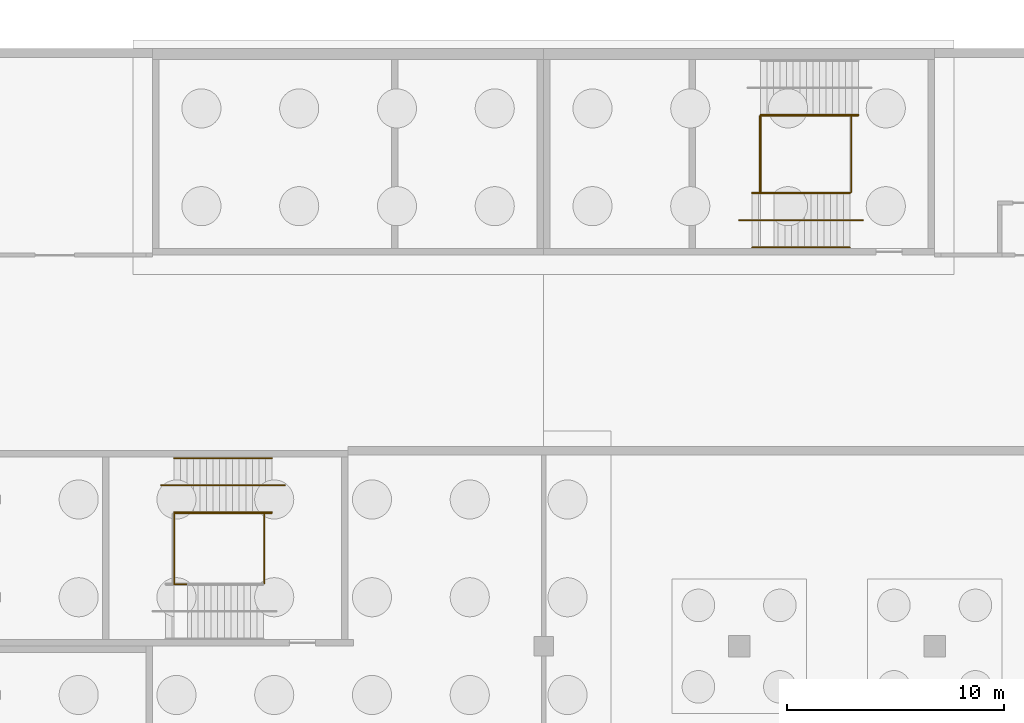
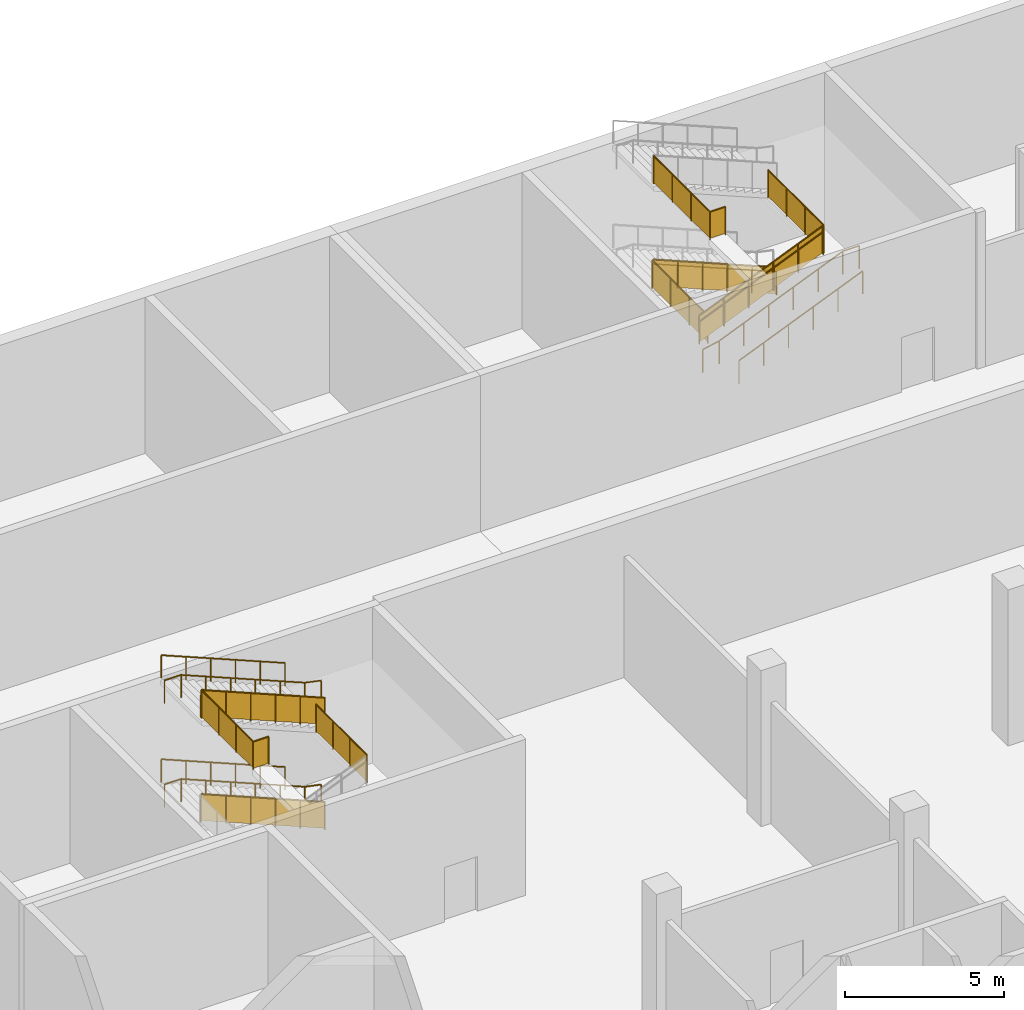
# One storey, part 33 of 42: 19 railings.
"""IFC4 building model written with IfcOpenShell, lengths in metres."""

from ifc_helpers import new_model, si_unit, direction, frame, origin, origin_2d, place, context, subcontext, project, spatial, polyline, circle, outline, extrude, material, type_object, element, save


model = new_model("IFC4")

# Units and contexts
model_context = context("Model", 3, precision=1e-05, world=origin(), true_north=direction((0.0, 1.0)))
body_context = subcontext(model_context, "Body", "Model", "MODEL_VIEW")
ifc_project = project(units=[si_unit("LENGTHUNIT", "METRE"), si_unit("AREAUNIT", "SQUARE_METRE"), si_unit("VOLUMEUNIT", "CUBIC_METRE"), si_unit("PLANEANGLEUNIT", "RADIAN"), si_unit("MASSUNIT", "GRAM", prefix="KILO")], contexts=[model_context])

# Site, building, storey
site_placement = place(None, origin())
site = spatial("IfcSite", under=ifc_project, at=site_placement, CompositionType="ELEMENT")
building_placement = place(site_placement, origin())
building = spatial("IfcBuilding", under=site, at=building_placement, Name="Silverbay Arena", CompositionType="ELEMENT")
storey_placement = place(building_placement, frame((0.0, 0.0, -6.0)))
storey = spatial("IfcBuildingStorey", under=building, at=storey_placement, Name="B1", CompositionType="ELEMENT", Elevation=-6.0)

# Railings
ifc_material_1 = material(Name="Stainless steel", Category="steel")
railing_type_1 = type_object("IfcRailingType", Name="Stair guard 1100", PredefinedType="GUARDRAIL", material=ifc_material_1)
railing_1_placement = place(storey_placement, frame((113.489990234375, 141.425048828125, 0.125)))
element("IfcRailing", 1, at=railing_1_placement, inside=storey, type_object=railing_type_1, Name="Stair ST-N2 B1 to L00 flight 1 guard left", PredefinedType="GUARDRAIL", context=body_context, shape_type="SweptSolid", body=[
    extrude(circle(Radius=0.02392578125, at=origin_2d()), frame((0.0, 0.0, 1.076171875), z_axis=(-0.923076923077, 0.0, 0.384615384615), x_axis=(0.0, -1.0, 0.0)), (0.0, 0.0, 1.0), 4.875),
    extrude(outline(polyline([(-0.008056640625, 0.046630859375), (0.907958984375, 0.42822265625), (0.907958984375, 1.431396484375), (-0.008056640625, 1.049560546875), (-0.008056640625, 0.046630859375)])), frame((0.0, -0.0029296875, 0.0), z_axis=(0.0, 1.0, 0.0), x_axis=(-1.0, 0.0, 0.0)), (0.0, 0.0, 1.0), 0.006103515625),
    extrude(outline(polyline([(-0.008056640625, 0.421630859375), (0.907958984375, 0.80322265625), (0.907958984375, 1.806396484375), (-0.008056640625, 1.424560546875), (-0.008056640625, 0.421630859375)])), frame((-0.89990234375, -0.0029296875, 0.0), z_axis=(0.0, 1.0, 0.0), x_axis=(-1.0, 0.0, 0.0)), (0.0, 0.0, 1.0), 0.006103515625),
    extrude(outline(polyline([(-0.008056640625, 0.796630859375), (0.907958984375, 1.17822265625), (0.907958984375, 2.181396484375), (-0.008056640625, 1.799560546875), (-0.008056640625, 0.796630859375)])), frame((-1.800048828125, -0.0029296875, 0.0), z_axis=(0.0, 1.0, 0.0), x_axis=(-1.0, 0.0, 0.0)), (0.0, 0.0, 1.0), 0.006103515625),
    extrude(outline(polyline([(-0.008056640625, 1.171630859375), (0.907958984375, 1.55322265625), (0.907958984375, 2.556396484375), (-0.008056640625, 2.174560546875), (-0.008056640625, 1.171630859375)])), frame((-2.699951171875, -0.0029296875, 0.0), z_axis=(0.0, 1.0, 0.0), x_axis=(-1.0, 0.0, 0.0)), (0.0, 0.0, 1.0), 0.006103515625),
    extrude(outline(polyline([(-0.008056640625, 1.546630859375), (0.907958984375, 1.92822265625), (0.907958984375, 2.931396484375), (-0.008056640625, 2.549560546875), (-0.008056640625, 1.546630859375)])), frame((-3.60009765625, -0.0029296875, 0.0), z_axis=(0.0, 1.0, 0.0), x_axis=(-1.0, 0.0, 0.0)), (0.0, 0.0, 1.0), 0.006103515625),
    extrude(circle(Radius=0.02099609375, at=origin_2d()), origin(), (0.0, 0.0, 1.0), 1.052001953125),
    extrude(circle(Radius=0.02099609375, at=origin_2d()), frame((-0.89990234375, 0.0, 0.375)), (0.0, 0.0, 1.0), 1.052001953125),
    extrude(circle(Radius=0.02099609375, at=origin_2d()), frame((-1.800048828125, 0.0, 0.75)), (0.0, 0.0, 1.0), 1.052001953125),
    extrude(circle(Radius=0.02099609375, at=origin_2d()), frame((-2.699951171875, 0.0, 1.125)), (0.0, 0.0, 1.0), 1.052001953125),
    extrude(circle(Radius=0.02099609375, at=origin_2d()), frame((-3.60009765625, 0.0, 1.5)), (0.0, 0.0, 1.0), 1.052001953125),
    extrude(circle(Radius=0.02099609375, at=origin_2d()), frame((-4.5, 0.0, 1.875)), (0.0, 0.0, 1.0), 1.052001953125),
])
railing_2_placement = place(storey_placement, frame((108.60009765625, 137.875, 2.125)))
element("IfcRailing", 2, at=railing_2_placement, inside=storey, type_object=railing_type_1, Name="Stair ST-N2 B1 to L00 flight 2 guard right", PredefinedType="GUARDRAIL", context=body_context, shape_type="SweptSolid", body=[
    extrude(circle(Radius=0.02392578125, at=origin_2d()), frame((0.0, 0.0, 1.076171875), z_axis=(0.923076923077, 0.0, 0.384615384615), x_axis=(0.0, 1.0, 0.0)), (0.0, 0.0, 1.0), 4.875),
    extrude(outline(polyline([(-0.008056640625, 0.046630859375), (0.907958984375, 0.42822265625), (0.907958984375, 1.431396484375), (-0.008056640625, 1.049560546875), (-0.008056640625, 0.046630859375)])), frame((0.0, 0.0029296875, 0.0), z_axis=(0.0, -1.0, 0.0), x_axis=(1.0, 0.0, 0.0)), (0.0, 0.0, 1.0), 0.006103515625),
    extrude(outline(polyline([(-0.008056640625, 0.421630859375), (0.907958984375, 0.80322265625), (0.907958984375, 1.806396484375), (-0.008056640625, 1.424560546875), (-0.008056640625, 0.421630859375)])), frame((0.89990234375, 0.0029296875, 0.0), z_axis=(0.0, -1.0, 0.0), x_axis=(1.0, 0.0, 0.0)), (0.0, 0.0, 1.0), 0.006103515625),
    extrude(outline(polyline([(-0.008056640625, 0.796630859375), (0.907958984375, 1.17822265625), (0.907958984375, 2.181396484375), (-0.008056640625, 1.799560546875), (-0.008056640625, 0.796630859375)])), frame((1.800048828125, 0.0029296875, 0.0), z_axis=(0.0, -1.0, 0.0), x_axis=(1.0, 0.0, 0.0)), (0.0, 0.0, 1.0), 0.006103515625),
    extrude(outline(polyline([(-0.008056640625, 1.171630859375), (0.907958984375, 1.55322265625), (0.907958984375, 2.556396484375), (-0.008056640625, 2.174560546875), (-0.008056640625, 1.171630859375)])), frame((2.699951171875, 0.0029296875, 0.0), z_axis=(0.0, -1.0, 0.0), x_axis=(1.0, 0.0, 0.0)), (0.0, 0.0, 1.0), 0.006103515625),
    extrude(outline(polyline([(-0.008056640625, 1.546630859375), (0.907958984375, 1.92822265625), (0.907958984375, 2.931396484375), (-0.008056640625, 2.549560546875), (-0.008056640625, 1.546630859375)])), frame((3.60009765625, 0.0029296875, 0.0), z_axis=(0.0, -1.0, 0.0), x_axis=(1.0, 0.0, 0.0)), (0.0, 0.0, 1.0), 0.006103515625),
    extrude(circle(Radius=0.02099609375, at=origin_2d()), origin(), (0.0, 0.0, 1.0), 1.052001953125),
    extrude(circle(Radius=0.02099609375, at=origin_2d()), frame((0.89990234375, 0.0, 0.375)), (0.0, 0.0, 1.0), 1.052001953125),
    extrude(circle(Radius=0.02099609375, at=origin_2d()), frame((1.800048828125, 0.0, 0.75)), (0.0, 0.0, 1.0), 1.052001953125),
    extrude(circle(Radius=0.02099609375, at=origin_2d()), frame((2.699951171875, 0.0, 1.125)), (0.0, 0.0, 1.0), 1.052001953125),
    extrude(circle(Radius=0.02099609375, at=origin_2d()), frame((3.60009765625, 0.0, 1.5)), (0.0, 0.0, 1.0), 1.052001953125),
    extrude(circle(Radius=0.02099609375, at=origin_2d()), frame((4.5, 0.0, 1.875)), (0.0, 0.0, 1.0), 1.052001953125),
])
for number, where, name in (
    (3, (108.93994140625, 137.89990234375, 2.0), "Stair ST-N2 B1 to L00 landing 1 guard"),
    (4, (113.14990234375, 137.89990234375, 4.0), "Stair ST-N2 B1 to L00 landing 2 guard"),
):
    element("IfcRailing", number, at=place(storey_placement, frame(where)), inside=storey, type_object=railing_type_1, Name=name, PredefinedType="GUARDRAIL", context=body_context, shape_type="SweptSolid", body=[
        extrude(circle(Radius=0.02392578125, at=origin_2d()), frame((0.0, 0.0, 1.076171875), z_axis=(0.0, 1.0, 0.0), x_axis=(-1.0, 0.0, 0.0)), (0.0, 0.0, 1.0), 3.5),
        extrude(outline(polyline([(-0.008056640625, 0.050048828125), (1.174560546875, 0.050048828125), (1.174560546875, 1.052978515625), (-0.008056640625, 1.052978515625), (-0.008056640625, 0.050048828125)])), frame((-0.0029296875, 0.0, 0.0), z_axis=(1.0, 0.0, 0.0), x_axis=(0.0, 1.0, 0.0)), (0.0, 0.0, 1.0), 0.006103515625),
        extrude(outline(polyline([(-0.008056640625, 0.050048828125), (1.174560546875, 0.050048828125), (1.174560546875, 1.052978515625), (-0.008056640625, 1.052978515625), (-0.008056640625, 0.050048828125)])), frame((-0.0029296875, 1.166748046875, 0.0), z_axis=(1.0, 0.0, 0.0), x_axis=(0.0, 1.0, 0.0)), (0.0, 0.0, 1.0), 0.006103515625),
        extrude(outline(polyline([(-0.008056640625, 0.050048828125), (1.174560546875, 0.050048828125), (1.174560546875, 1.052978515625), (-0.008056640625, 1.052978515625), (-0.008056640625, 0.050048828125)])), frame((-0.0029296875, 2.333251953125, 0.0), z_axis=(1.0, 0.0, 0.0), x_axis=(0.0, 1.0, 0.0)), (0.0, 0.0, 1.0), 0.006103515625),
        extrude(circle(Radius=0.02099609375, at=origin_2d()), origin(), (0.0, 0.0, 1.0), 1.052001953125),
        extrude(circle(Radius=0.02099609375, at=origin_2d()), frame((0.0, 1.166748046875, 0.0)), (0.0, 0.0, 1.0), 1.052001953125),
        extrude(circle(Radius=0.02099609375, at=origin_2d()), frame((0.0, 2.333251953125, 0.0)), (0.0, 0.0, 1.0), 1.052001953125),
        extrude(circle(Radius=0.02099609375, at=origin_2d()), frame((0.0, 3.5, 0.0)), (0.0, 0.0, 1.0), 1.052001953125),
    ])
railing_3_placement = place(storey_placement, frame((109.550048828125, 137.85009765625, 6.0)))
element("IfcRailing", 5, at=railing_3_placement, inside=storey, type_object=railing_type_1, Name="Stair ST-N2 B1 to L00 landing 3 guard", PredefinedType="GUARDRAIL", context=body_context, shape_type="SweptSolid", body=[
    extrude(circle(Radius=0.02392578125, at=origin_2d()), frame((0.0, 0.0, 1.076171875), z_axis=(-1.0, 0.0, 0.0), x_axis=(0.0, -1.0, 0.0)), (0.0, 0.0, 1.0), 0.56005859375),
    extrude(outline(polyline([(-0.008056640625, 0.050048828125), (0.568115234375, 0.050048828125), (0.568115234375, 1.052978515625), (-0.008056640625, 1.052978515625), (-0.008056640625, 0.050048828125)])), frame((0.0, -0.0029296875, 0.0), z_axis=(0.0, 1.0, 0.0), x_axis=(-1.0, 0.0, 0.0)), (0.0, 0.0, 1.0), 0.006103515625),
    extrude(circle(Radius=0.02392578125, at=origin_2d()), frame((-0.56005859375, 0.0, 1.076171875), z_axis=(0.0, 1.0, 0.0), x_axis=(-1.0, 0.0, 0.0)), (0.0, 0.0, 1.0), 3.5498046875),
    extrude(outline(polyline([(-0.008056640625, 0.050048828125), (1.191162109375, 0.050048828125), (1.191162109375, 1.052978515625), (-0.008056640625, 1.052978515625), (-0.008056640625, 0.050048828125)])), frame((-0.56298828125, 0.0, 0.0), z_axis=(1.0, 0.0, 0.0), x_axis=(0.0, 1.0, 0.0)), (0.0, 0.0, 1.0), 0.006103515625),
    extrude(outline(polyline([(-0.008056640625, 0.050048828125), (1.191162109375, 0.050048828125), (1.191162109375, 1.052978515625), (-0.008056640625, 1.052978515625), (-0.008056640625, 0.050048828125)])), frame((-0.56298828125, 1.183349609375, 0.0), z_axis=(1.0, 0.0, 0.0), x_axis=(0.0, 1.0, 0.0)), (0.0, 0.0, 1.0), 0.006103515625),
    extrude(outline(polyline([(-0.008056640625, 0.050048828125), (1.191162109375, 0.050048828125), (1.191162109375, 1.052978515625), (-0.008056640625, 1.052978515625), (-0.008056640625, 0.050048828125)])), frame((-0.56298828125, 2.366455078125, 0.0), z_axis=(1.0, 0.0, 0.0), x_axis=(0.0, 1.0, 0.0)), (0.0, 0.0, 1.0), 0.006103515625),
    extrude(circle(Radius=0.02099609375, at=origin_2d()), origin(), (0.0, 0.0, 1.0), 1.052001953125),
    extrude(circle(Radius=0.02099609375, at=origin_2d()), frame((-0.56005859375, 0.0, 0.0)), (0.0, 0.0, 1.0), 1.052001953125),
    extrude(circle(Radius=0.02099609375, at=origin_2d()), frame((-0.56005859375, 1.183349609375, 0.0)), (0.0, 0.0, 1.0), 1.052001953125),
    extrude(circle(Radius=0.02099609375, at=origin_2d()), frame((-0.56005859375, 2.366455078125, 0.0)), (0.0, 0.0, 1.0), 1.052001953125),
    extrude(circle(Radius=0.02099609375, at=origin_2d()), frame((-0.56005859375, 3.5498046875, 0.0)), (0.0, 0.0, 1.0), 1.052001953125),
])
railing_4_placement = place(storey_placement, frame((86.489990234375, 123.125, 0.125)))
element("IfcRailing", 6, at=railing_4_placement, inside=storey, type_object=railing_type_1, Name="Stair ST-NW1 B1 to L00 flight 1 guard left", PredefinedType="GUARDRAIL", context=body_context, shape_type="SweptSolid", body=[
    extrude(circle(Radius=0.02392578125, at=origin_2d()), frame((0.0, 0.0, 1.076171875), z_axis=(-0.923076923077, 0.0, 0.384615384615), x_axis=(0.0, -1.0, 0.0)), (0.0, 0.0, 1.0), 4.875),
    extrude(outline(polyline([(-0.008056640625, 0.046630859375), (0.907958984375, 0.42822265625), (0.907958984375, 1.431396484375), (-0.008056640625, 1.049560546875), (-0.008056640625, 0.046630859375)])), frame((0.0, -0.0029296875, 0.0), z_axis=(0.0, 1.0, 0.0), x_axis=(-1.0, 0.0, 0.0)), (0.0, 0.0, 1.0), 0.006103515625),
    extrude(outline(polyline([(-0.008056640625, 0.421630859375), (0.907958984375, 0.80322265625), (0.907958984375, 1.806396484375), (-0.008056640625, 1.424560546875), (-0.008056640625, 0.421630859375)])), frame((-0.89990234375, -0.0029296875, 0.0), z_axis=(0.0, 1.0, 0.0), x_axis=(-1.0, 0.0, 0.0)), (0.0, 0.0, 1.0), 0.006103515625),
    extrude(outline(polyline([(-0.008056640625, 0.796630859375), (0.907958984375, 1.17822265625), (0.907958984375, 2.181396484375), (-0.008056640625, 1.799560546875), (-0.008056640625, 0.796630859375)])), frame((-1.800048828125, -0.0029296875, 0.0), z_axis=(0.0, 1.0, 0.0), x_axis=(-1.0, 0.0, 0.0)), (0.0, 0.0, 1.0), 0.006103515625),
    extrude(outline(polyline([(-0.008056640625, 1.171630859375), (0.907958984375, 1.55322265625), (0.907958984375, 2.556396484375), (-0.008056640625, 2.174560546875), (-0.008056640625, 1.171630859375)])), frame((-2.699951171875, -0.0029296875, 0.0), z_axis=(0.0, 1.0, 0.0), x_axis=(-1.0, 0.0, 0.0)), (0.0, 0.0, 1.0), 0.006103515625),
    extrude(outline(polyline([(-0.008056640625, 1.546630859375), (0.907958984375, 1.92822265625), (0.907958984375, 2.931396484375), (-0.008056640625, 2.549560546875), (-0.008056640625, 1.546630859375)])), frame((-3.60009765625, -0.0029296875, 0.0), z_axis=(0.0, 1.0, 0.0), x_axis=(-1.0, 0.0, 0.0)), (0.0, 0.0, 1.0), 0.006103515625),
    extrude(circle(Radius=0.02099609375, at=origin_2d()), origin(), (0.0, 0.0, 1.0), 1.052001953125),
    extrude(circle(Radius=0.02099609375, at=origin_2d()), frame((-0.89990234375, 0.0, 0.375)), (0.0, 0.0, 1.0), 1.052001953125),
    extrude(circle(Radius=0.02099609375, at=origin_2d()), frame((-1.800048828125, 0.0, 0.75)), (0.0, 0.0, 1.0), 1.052001953125),
    extrude(circle(Radius=0.02099609375, at=origin_2d()), frame((-2.699951171875, 0.0, 1.125)), (0.0, 0.0, 1.0), 1.052001953125),
    extrude(circle(Radius=0.02099609375, at=origin_2d()), frame((-3.60009765625, 0.0, 1.5)), (0.0, 0.0, 1.0), 1.052001953125),
    extrude(circle(Radius=0.02099609375, at=origin_2d()), frame((-4.5, 0.0, 1.875)), (0.0, 0.0, 1.0), 1.052001953125),
])
railing_5_placement = place(storey_placement, frame((86.489990234375, 123.125, 4.125)))
element("IfcRailing", 7, at=railing_5_placement, inside=storey, type_object=railing_type_1, Name="Stair ST-NW1 B1 to L00 flight 3 guard left", PredefinedType="GUARDRAIL", context=body_context, shape_type="SweptSolid", body=[
    extrude(circle(Radius=0.02392578125, at=origin_2d()), frame((0.0, 0.0, 1.076171875), z_axis=(-0.923076923077, 0.0, 0.384615384615), x_axis=(0.0, -1.0, 0.0)), (0.0, 0.0, 1.0), 4.875),
    extrude(outline(polyline([(-0.008056640625, 0.046630859375), (0.907958984375, 0.42822265625), (0.907958984375, 1.431396484375), (-0.008056640625, 1.049560546875), (-0.008056640625, 0.046630859375)])), frame((0.0, -0.0029296875, 0.0), z_axis=(0.0, 1.0, 0.0), x_axis=(-1.0, 0.0, 0.0)), (0.0, 0.0, 1.0), 0.006103515625),
    extrude(outline(polyline([(-0.008056640625, 0.421630859375), (0.907958984375, 0.80322265625), (0.907958984375, 1.806396484375), (-0.008056640625, 1.424560546875), (-0.008056640625, 0.421630859375)])), frame((-0.89990234375, -0.0029296875, 0.0), z_axis=(0.0, 1.0, 0.0), x_axis=(-1.0, 0.0, 0.0)), (0.0, 0.0, 1.0), 0.006103515625),
    extrude(outline(polyline([(-0.008056640625, 0.796630859375), (0.907958984375, 1.17822265625), (0.907958984375, 2.181396484375), (-0.008056640625, 1.799560546875), (-0.008056640625, 0.796630859375)])), frame((-1.800048828125, -0.0029296875, 0.0), z_axis=(0.0, 1.0, 0.0), x_axis=(-1.0, 0.0, 0.0)), (0.0, 0.0, 1.0), 0.006103515625),
    extrude(outline(polyline([(-0.008056640625, 1.171630859375), (0.907958984375, 1.55322265625), (0.907958984375, 2.556396484375), (-0.008056640625, 2.174560546875), (-0.008056640625, 1.171630859375)])), frame((-2.699951171875, -0.0029296875, 0.0), z_axis=(0.0, 1.0, 0.0), x_axis=(-1.0, 0.0, 0.0)), (0.0, 0.0, 1.0), 0.006103515625),
    extrude(outline(polyline([(-0.008056640625, 1.546630859375), (0.907958984375, 1.92822265625), (0.907958984375, 2.931396484375), (-0.008056640625, 2.549560546875), (-0.008056640625, 1.546630859375)])), frame((-3.60009765625, -0.0029296875, 0.0), z_axis=(0.0, 1.0, 0.0), x_axis=(-1.0, 0.0, 0.0)), (0.0, 0.0, 1.0), 0.006103515625),
    extrude(circle(Radius=0.02099609375, at=origin_2d()), origin(), (0.0, 0.0, 1.0), 1.052001953125),
    extrude(circle(Radius=0.02099609375, at=origin_2d()), frame((-0.89990234375, 0.0, 0.375)), (0.0, 0.0, 1.0), 1.052001953125),
    extrude(circle(Radius=0.02099609375, at=origin_2d()), frame((-1.800048828125, 0.0, 0.75)), (0.0, 0.0, 1.0), 1.052001953125),
    extrude(circle(Radius=0.02099609375, at=origin_2d()), frame((-2.699951171875, 0.0, 1.125)), (0.0, 0.0, 1.0), 1.052001953125),
    extrude(circle(Radius=0.02099609375, at=origin_2d()), frame((-3.60009765625, 0.0, 1.5)), (0.0, 0.0, 1.0), 1.052001953125),
    extrude(circle(Radius=0.02099609375, at=origin_2d()), frame((-4.5, 0.0, 1.875)), (0.0, 0.0, 1.0), 1.052001953125),
])
railing_6_placement = place(storey_placement, frame((86.14990234375, 119.89990234375, 4.0)))
element("IfcRailing", 8, at=railing_6_placement, inside=storey, type_object=railing_type_1, Name="Stair ST-NW1 B1 to L00 landing 2 guard", PredefinedType="GUARDRAIL", context=body_context, shape_type="SweptSolid", body=[
    extrude(circle(Radius=0.02392578125, at=origin_2d()), frame((0.0, 0.0, 1.076171875), z_axis=(0.0, 1.0, 0.0), x_axis=(-1.0, 0.0, 0.0)), (0.0, 0.0, 1.0), 3.2001953125),
    extrude(outline(polyline([(-0.008056640625, 0.050048828125), (1.07470703125, 0.050048828125), (1.07470703125, 1.052978515625), (-0.008056640625, 1.052978515625), (-0.008056640625, 0.050048828125)])), frame((-0.0029296875, 0.0, 0.0), z_axis=(1.0, 0.0, 0.0), x_axis=(0.0, 1.0, 0.0)), (0.0, 0.0, 1.0), 0.006103515625),
    extrude(outline(polyline([(-0.008056640625, 0.050048828125), (1.07470703125, 0.050048828125), (1.07470703125, 1.052978515625), (-0.008056640625, 1.052978515625), (-0.008056640625, 0.050048828125)])), frame((-0.0029296875, 1.066650390625, 0.0), z_axis=(1.0, 0.0, 0.0), x_axis=(0.0, 1.0, 0.0)), (0.0, 0.0, 1.0), 0.006103515625),
    extrude(outline(polyline([(-0.008056640625, 0.050048828125), (1.07470703125, 0.050048828125), (1.07470703125, 1.052978515625), (-0.008056640625, 1.052978515625), (-0.008056640625, 0.050048828125)])), frame((-0.0029296875, 2.133544921875, 0.0), z_axis=(1.0, 0.0, 0.0), x_axis=(0.0, 1.0, 0.0)), (0.0, 0.0, 1.0), 0.006103515625),
    extrude(circle(Radius=0.02099609375, at=origin_2d()), origin(), (0.0, 0.0, 1.0), 1.052001953125),
    extrude(circle(Radius=0.02099609375, at=origin_2d()), frame((0.0, 1.066650390625, 0.0)), (0.0, 0.0, 1.0), 1.052001953125),
    extrude(circle(Radius=0.02099609375, at=origin_2d()), frame((0.0, 2.133544921875, 0.0)), (0.0, 0.0, 1.0), 1.052001953125),
    extrude(circle(Radius=0.02099609375, at=origin_2d()), frame((0.0, 3.2001953125, 0.0)), (0.0, 0.0, 1.0), 1.052001953125),
])
railing_7_placement = place(storey_placement, frame((82.550048828125, 119.85009765625, 6.0)))
element("IfcRailing", 9, at=railing_7_placement, inside=storey, type_object=railing_type_1, Name="Stair ST-NW1 B1 to L00 landing 3 guard", PredefinedType="GUARDRAIL", context=body_context, shape_type="SweptSolid", body=[
    extrude(circle(Radius=0.02392578125, at=origin_2d()), frame((0.0, 0.0, 1.076171875), z_axis=(-1.0, 0.0, 0.0), x_axis=(0.0, -1.0, 0.0)), (0.0, 0.0, 1.0), 0.56005859375),
    extrude(outline(polyline([(-0.008056640625, 0.050048828125), (0.568115234375, 0.050048828125), (0.568115234375, 1.052978515625), (-0.008056640625, 1.052978515625), (-0.008056640625, 0.050048828125)])), frame((0.0, -0.0029296875, 0.0), z_axis=(0.0, 1.0, 0.0), x_axis=(-1.0, 0.0, 0.0)), (0.0, 0.0, 1.0), 0.006103515625),
    extrude(circle(Radius=0.02392578125, at=origin_2d()), frame((-0.56005859375, 0.0, 1.076171875), z_axis=(0.0, 1.0, 0.0), x_axis=(-1.0, 0.0, 0.0)), (0.0, 0.0, 1.0), 3.25),
    extrude(outline(polyline([(-0.008056640625, 0.050048828125), (1.09130859375, 0.050048828125), (1.09130859375, 1.052978515625), (-0.008056640625, 1.052978515625), (-0.008056640625, 0.050048828125)])), frame((-0.56298828125, 0.0, 0.0), z_axis=(1.0, 0.0, 0.0), x_axis=(0.0, 1.0, 0.0)), (0.0, 0.0, 1.0), 0.006103515625),
    extrude(outline(polyline([(-0.008056640625, 0.050048828125), (1.09130859375, 0.050048828125), (1.09130859375, 1.052978515625), (-0.008056640625, 1.052978515625), (-0.008056640625, 0.050048828125)])), frame((-0.56298828125, 1.083251953125, 0.0), z_axis=(1.0, 0.0, 0.0), x_axis=(0.0, 1.0, 0.0)), (0.0, 0.0, 1.0), 0.006103515625),
    extrude(outline(polyline([(-0.008056640625, 0.050048828125), (1.09130859375, 0.050048828125), (1.09130859375, 1.052978515625), (-0.008056640625, 1.052978515625), (-0.008056640625, 0.050048828125)])), frame((-0.56298828125, 2.166748046875, 0.0), z_axis=(1.0, 0.0, 0.0), x_axis=(0.0, 1.0, 0.0)), (0.0, 0.0, 1.0), 0.006103515625),
    extrude(circle(Radius=0.02099609375, at=origin_2d()), origin(), (0.0, 0.0, 1.0), 1.052001953125),
    extrude(circle(Radius=0.02099609375, at=origin_2d()), frame((-0.56005859375, 0.0, 0.0)), (0.0, 0.0, 1.0), 1.052001953125),
    extrude(circle(Radius=0.02099609375, at=origin_2d()), frame((-0.56005859375, 1.083251953125, 0.0)), (0.0, 0.0, 1.0), 1.052001953125),
    extrude(circle(Radius=0.02099609375, at=origin_2d()), frame((-0.56005859375, 2.166748046875, 0.0)), (0.0, 0.0, 1.0), 1.052001953125),
    extrude(circle(Radius=0.02099609375, at=origin_2d()), frame((-0.56005859375, 3.25, 0.0)), (0.0, 0.0, 1.0), 1.052001953125),
])
ifc_material_2 = material(Name="Stainless steel", Category="steel")
railing_type_2 = type_object("IfcRailingType", Name="Stair handrail 900", PredefinedType="HANDRAIL", material=ifc_material_2)
railing_8_placement = place(storey_placement, frame((113.489990234375, 141.464111328125, 0.125)))
element("IfcRailing", 10, at=railing_8_placement, inside=storey, type_object=railing_type_2, Name="Stair ST-N2 B1 to L00 flight 1 handrail left", PredefinedType="HANDRAIL", context=body_context, shape_type="SweptSolid", body=[
    extrude(circle(Radius=0.02392578125, at=origin_2d()), frame((0.0, 0.0, 0.8759765625), z_axis=(-0.923076923077, 0.0, 0.384615384615), x_axis=(0.0, -1.0, 0.0)), (0.0, 0.0, 1.0), 4.875),
    extrude(circle(Radius=0.02099609375, at=origin_2d()), origin(), (0.0, 0.0, 1.0), 0.851806640625),
    extrude(circle(Radius=0.02099609375, at=origin_2d()), frame((-0.89990234375, 0.0, 0.375)), (0.0, 0.0, 1.0), 0.851806640625),
    extrude(circle(Radius=0.02099609375, at=origin_2d()), frame((-1.800048828125, 0.0, 0.75)), (0.0, 0.0, 1.0), 0.851806640625),
    extrude(circle(Radius=0.02099609375, at=origin_2d()), frame((-2.699951171875, 0.0, 1.125)), (0.0, 0.0, 1.0), 0.851806640625),
    extrude(circle(Radius=0.02099609375, at=origin_2d()), frame((-3.60009765625, 0.0, 1.5)), (0.0, 0.0, 1.0), 0.851806640625),
    extrude(circle(Radius=0.02099609375, at=origin_2d()), frame((-4.5, 0.0, 1.875)), (0.0, 0.0, 1.0), 0.851806640625),
])
for number, where, name in (
    (11, (108.60009765625, 135.35009765625, 2.125), "Stair ST-N2 B1 to L00 flight 2 handrail left"),
    (12, (108.60009765625, 137.8359375, 2.125), "Stair ST-N2 B1 to L00 flight 2 handrail right"),
):
    element("IfcRailing", number, at=place(storey_placement, frame(where)), inside=storey, type_object=railing_type_2, Name=name, PredefinedType="HANDRAIL", context=body_context, shape_type="SweptSolid", body=[
        extrude(circle(Radius=0.02392578125, at=origin_2d()), frame((0.0, 0.0, 0.8759765625), z_axis=(0.923076923077, 0.0, 0.384615384615), x_axis=(0.0, 1.0, 0.0)), (0.0, 0.0, 1.0), 4.875),
        extrude(circle(Radius=0.02099609375, at=origin_2d()), origin(), (0.0, 0.0, 1.0), 0.851806640625),
        extrude(circle(Radius=0.02099609375, at=origin_2d()), frame((0.89990234375, 0.0, 0.375)), (0.0, 0.0, 1.0), 0.851806640625),
        extrude(circle(Radius=0.02099609375, at=origin_2d()), frame((1.800048828125, 0.0, 0.75)), (0.0, 0.0, 1.0), 0.851806640625),
        extrude(circle(Radius=0.02099609375, at=origin_2d()), frame((2.699951171875, 0.0, 1.125)), (0.0, 0.0, 1.0), 0.851806640625),
        extrude(circle(Radius=0.02099609375, at=origin_2d()), frame((3.60009765625, 0.0, 1.5)), (0.0, 0.0, 1.0), 0.851806640625),
        extrude(circle(Radius=0.02099609375, at=origin_2d()), frame((4.5, 0.0, 1.875)), (0.0, 0.0, 1.0), 0.851806640625),
    ])
railing_9_placement = place(storey_placement, frame((108.0, 136.60009765625, 2.0)))
element("IfcRailing", 13, at=railing_9_placement, inside=storey, type_object=railing_type_2, Name="Stair ST-N2 B1 to L00 flight 2 central handrail", PredefinedType="HANDRAIL", context=body_context, shape_type="SweptSolid", body=[
    extrude(circle(Radius=0.02392578125, at=origin_2d()), frame((0.0, 0.0, 0.8759765625), z_axis=(0.978987046276, 0.0, 0.203922444139), x_axis=(0.0, 1.0, 0.0)), (0.0, 0.0, 1.0), 0.613037109375),
    extrude(circle(Radius=0.02392578125, at=origin_2d()), frame((0.60009765625, 0.0, 1.0009765625), z_axis=(0.923076923077, 0.0, 0.384615384615), x_axis=(0.0, 1.0, 0.0)), (0.0, 0.0, 1.0), 4.875),
    extrude(circle(Radius=0.02392578125, at=origin_2d()), frame((5.10009765625, 0.0, 2.8759765625), z_axis=(1.0, 0.0, 0.0), x_axis=(0.0, 1.0, 0.0)), (0.0, 0.0, 1.0), 0.599853515625),
    extrude(circle(Radius=0.02099609375, at=origin_2d()), origin(), (0.0, 0.0, 1.0), 0.851806640625),
    extrude(circle(Radius=0.02099609375, at=origin_2d()), frame((0.60009765625, 0.0, 0.125)), (0.0, 0.0, 1.0), 0.851806640625),
    extrude(circle(Radius=0.02099609375, at=origin_2d()), frame((1.5, 0.0, 0.5)), (0.0, 0.0, 1.0), 0.851806640625),
    extrude(circle(Radius=0.02099609375, at=origin_2d()), frame((2.400146484375, 0.0, 0.875)), (0.0, 0.0, 1.0), 0.851806640625),
    extrude(circle(Radius=0.02099609375, at=origin_2d()), frame((3.300048828125, 0.0, 1.25)), (0.0, 0.0, 1.0), 0.851806640625),
    extrude(circle(Radius=0.02099609375, at=origin_2d()), frame((4.2001953125, 0.0, 1.625)), (0.0, 0.0, 1.0), 0.851806640625),
    extrude(circle(Radius=0.02099609375, at=origin_2d()), frame((5.10009765625, 0.0, 2.0)), (0.0, 0.0, 1.0), 0.851806640625),
    extrude(circle(Radius=0.02099609375, at=origin_2d()), frame((5.699951171875, 0.0, 2.0)), (0.0, 0.0, 1.0), 0.851806640625),
])
for number, where, name in (
    (14, (86.489990234375, 123.1640625, 0.125), "Stair ST-NW1 B1 to L00 flight 1 handrail left"),
    (15, (86.489990234375, 125.64990234375, 0.125), "Stair ST-NW1 B1 to L00 flight 1 handrail right"),
):
    element("IfcRailing", number, at=place(storey_placement, frame(where)), inside=storey, type_object=railing_type_2, Name=name, PredefinedType="HANDRAIL", context=body_context, shape_type="SweptSolid", body=[
        extrude(circle(Radius=0.02392578125, at=origin_2d()), frame((0.0, 0.0, 0.8759765625), z_axis=(-0.923076923077, 0.0, 0.384615384615), x_axis=(0.0, -1.0, 0.0)), (0.0, 0.0, 1.0), 4.875),
        extrude(circle(Radius=0.02099609375, at=origin_2d()), origin(), (0.0, 0.0, 1.0), 0.851806640625),
        extrude(circle(Radius=0.02099609375, at=origin_2d()), frame((-0.89990234375, 0.0, 0.375)), (0.0, 0.0, 1.0), 0.851806640625),
        extrude(circle(Radius=0.02099609375, at=origin_2d()), frame((-1.800048828125, 0.0, 0.75)), (0.0, 0.0, 1.0), 0.851806640625),
        extrude(circle(Radius=0.02099609375, at=origin_2d()), frame((-2.699951171875, 0.0, 1.125)), (0.0, 0.0, 1.0), 0.851806640625),
        extrude(circle(Radius=0.02099609375, at=origin_2d()), frame((-3.60009765625, 0.0, 1.5)), (0.0, 0.0, 1.0), 0.851806640625),
        extrude(circle(Radius=0.02099609375, at=origin_2d()), frame((-4.5, 0.0, 1.875)), (0.0, 0.0, 1.0), 0.851806640625),
    ])
railing_10_placement = place(storey_placement, frame((87.090087890625, 124.39990234375, 0.0)))
element("IfcRailing", 16, at=railing_10_placement, inside=storey, type_object=railing_type_2, Name="Stair ST-NW1 B1 to L00 flight 1 central handrail", PredefinedType="HANDRAIL", context=body_context, shape_type="SweptSolid", body=[
    extrude(circle(Radius=0.02392578125, at=origin_2d()), frame((0.0, 0.0, 0.8759765625), z_axis=(-0.978987046276, 0.0, 0.203922444139), x_axis=(0.0, -1.0, 0.0)), (0.0, 0.0, 1.0), 0.613037109375),
    extrude(circle(Radius=0.02392578125, at=origin_2d()), frame((-0.60009765625, 0.0, 1.0009765625), z_axis=(-0.923076923077, 0.0, 0.384615384615), x_axis=(0.0, -1.0, 0.0)), (0.0, 0.0, 1.0), 4.875),
    extrude(circle(Radius=0.02392578125, at=origin_2d()), frame((-5.10009765625, 0.0, 2.8759765625), z_axis=(-1.0, 0.0, 0.0), x_axis=(0.0, -1.0, 0.0)), (0.0, 0.0, 1.0), 0.60009765625),
    extrude(circle(Radius=0.02099609375, at=origin_2d()), origin(), (0.0, 0.0, 1.0), 0.851806640625),
    extrude(circle(Radius=0.02099609375, at=origin_2d()), frame((-0.60009765625, 0.0, 0.125)), (0.0, 0.0, 1.0), 0.851806640625),
    extrude(circle(Radius=0.02099609375, at=origin_2d()), frame((-1.5, 0.0, 0.5)), (0.0, 0.0, 1.0), 0.851806640625),
    extrude(circle(Radius=0.02099609375, at=origin_2d()), frame((-2.400146484375, 0.0, 0.875)), (0.0, 0.0, 1.0), 0.851806640625),
    extrude(circle(Radius=0.02099609375, at=origin_2d()), frame((-3.300048828125, 0.0, 1.25)), (0.0, 0.0, 1.0), 0.851806640625),
    extrude(circle(Radius=0.02099609375, at=origin_2d()), frame((-4.2001953125, 0.0, 1.625)), (0.0, 0.0, 1.0), 0.851806640625),
    extrude(circle(Radius=0.02099609375, at=origin_2d()), frame((-5.10009765625, 0.0, 2.0)), (0.0, 0.0, 1.0), 0.851806640625),
    extrude(circle(Radius=0.02099609375, at=origin_2d()), frame((-5.7001953125, 0.0, 2.0)), (0.0, 0.0, 1.0), 0.851806640625),
])
for number, where, name in (
    (17, (86.489990234375, 123.1640625, 4.125), "Stair ST-NW1 B1 to L00 flight 3 handrail left"),
    (18, (86.489990234375, 125.64990234375, 4.125), "Stair ST-NW1 B1 to L00 flight 3 handrail right"),
):
    element("IfcRailing", number, at=place(storey_placement, frame(where)), inside=storey, type_object=railing_type_2, Name=name, PredefinedType="HANDRAIL", context=body_context, shape_type="SweptSolid", body=[
        extrude(circle(Radius=0.02392578125, at=origin_2d()), frame((0.0, 0.0, 0.8759765625), z_axis=(-0.923076923077, 0.0, 0.384615384615), x_axis=(0.0, -1.0, 0.0)), (0.0, 0.0, 1.0), 4.875),
        extrude(circle(Radius=0.02099609375, at=origin_2d()), origin(), (0.0, 0.0, 1.0), 0.851806640625),
        extrude(circle(Radius=0.02099609375, at=origin_2d()), frame((-0.89990234375, 0.0, 0.375)), (0.0, 0.0, 1.0), 0.851806640625),
        extrude(circle(Radius=0.02099609375, at=origin_2d()), frame((-1.800048828125, 0.0, 0.75)), (0.0, 0.0, 1.0), 0.851806640625),
        extrude(circle(Radius=0.02099609375, at=origin_2d()), frame((-2.699951171875, 0.0, 1.125)), (0.0, 0.0, 1.0), 0.851806640625),
        extrude(circle(Radius=0.02099609375, at=origin_2d()), frame((-3.60009765625, 0.0, 1.5)), (0.0, 0.0, 1.0), 0.851806640625),
        extrude(circle(Radius=0.02099609375, at=origin_2d()), frame((-4.5, 0.0, 1.875)), (0.0, 0.0, 1.0), 0.851806640625),
    ])
railing_11_placement = place(storey_placement, frame((87.090087890625, 124.39990234375, 4.0)))
element("IfcRailing", 19, at=railing_11_placement, inside=storey, type_object=railing_type_2, Name="Stair ST-NW1 B1 to L00 flight 3 central handrail", PredefinedType="HANDRAIL", context=body_context, shape_type="SweptSolid", body=[
    extrude(circle(Radius=0.02392578125, at=origin_2d()), frame((0.0, 0.0, 0.8759765625), z_axis=(-0.978987046276, 0.0, 0.203922444139), x_axis=(0.0, -1.0, 0.0)), (0.0, 0.0, 1.0), 0.613037109375),
    extrude(circle(Radius=0.02392578125, at=origin_2d()), frame((-0.60009765625, 0.0, 1.0009765625), z_axis=(-0.923076923077, 0.0, 0.384615384615), x_axis=(0.0, -1.0, 0.0)), (0.0, 0.0, 1.0), 4.875),
    extrude(circle(Radius=0.02392578125, at=origin_2d()), frame((-5.10009765625, 0.0, 2.8759765625), z_axis=(-1.0, 0.0, 0.0), x_axis=(0.0, -1.0, 0.0)), (0.0, 0.0, 1.0), 0.60009765625),
    extrude(circle(Radius=0.02099609375, at=origin_2d()), origin(), (0.0, 0.0, 1.0), 0.851806640625),
    extrude(circle(Radius=0.02099609375, at=origin_2d()), frame((-0.60009765625, 0.0, 0.125)), (0.0, 0.0, 1.0), 0.851806640625),
    extrude(circle(Radius=0.02099609375, at=origin_2d()), frame((-1.5, 0.0, 0.5)), (0.0, 0.0, 1.0), 0.851806640625),
    extrude(circle(Radius=0.02099609375, at=origin_2d()), frame((-2.400146484375, 0.0, 0.875)), (0.0, 0.0, 1.0), 0.851806640625),
    extrude(circle(Radius=0.02099609375, at=origin_2d()), frame((-3.300048828125, 0.0, 1.25)), (0.0, 0.0, 1.0), 0.851806640625),
    extrude(circle(Radius=0.02099609375, at=origin_2d()), frame((-4.2001953125, 0.0, 1.625)), (0.0, 0.0, 1.0), 0.851806640625),
    extrude(circle(Radius=0.02099609375, at=origin_2d()), frame((-5.10009765625, 0.0, 2.0)), (0.0, 0.0, 1.0), 0.851806640625),
    extrude(circle(Radius=0.02099609375, at=origin_2d()), frame((-5.7001953125, 0.0, 2.0)), (0.0, 0.0, 1.0), 0.851806640625),
])

save(model, "model.ifc")
